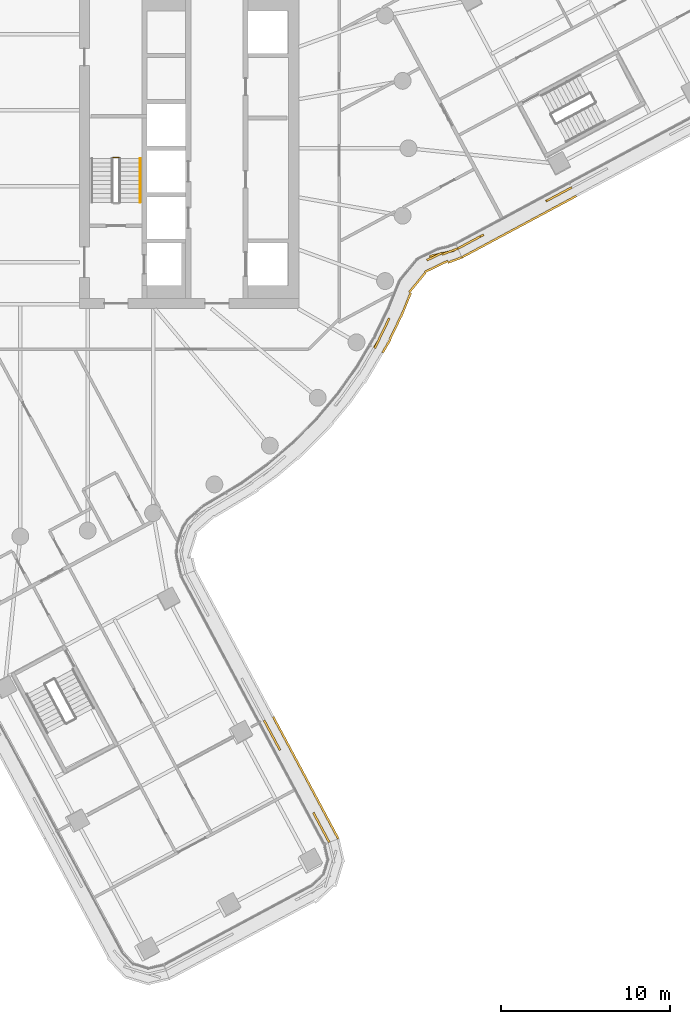
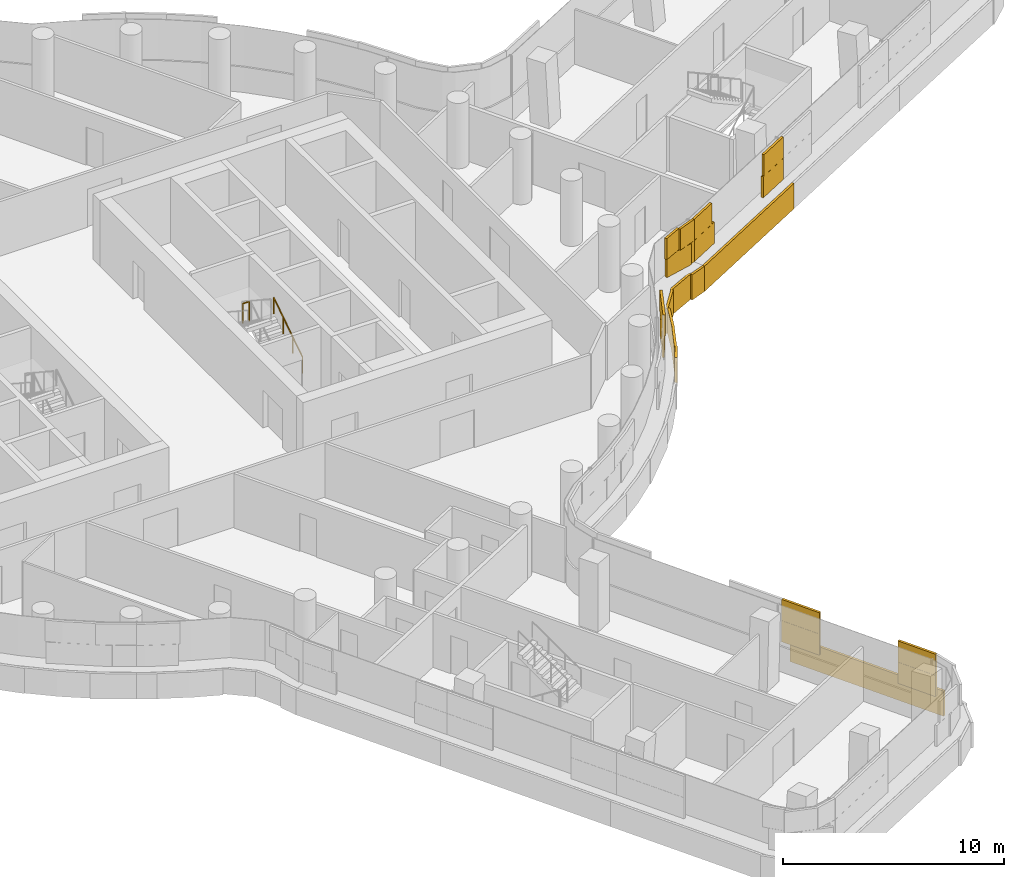
# One storey, part 29 of 33: 3 coverings, 2 railings.
"""IFC4 building model written with IfcOpenShell, lengths in metres."""

from ifc_helpers import new_model, si_unit, direction, frame, origin, origin_2d, place, context, subcontext, project, spatial, rectangle, circle, extrude, material, layer, layer_set, type_object, element, save


model = new_model("IFC4")

# Units and contexts
model_context = context("Model", 3, precision=1e-05, world=origin(), true_north=direction((0.0, 1.0)))
body_context = subcontext(model_context, "Body", "Model", "MODEL_VIEW")
ifc_project = project(units=[si_unit("LENGTHUNIT", "METRE"), si_unit("AREAUNIT", "SQUARE_METRE"), si_unit("VOLUMEUNIT", "CUBIC_METRE"), si_unit("PLANEANGLEUNIT", "RADIAN"), si_unit("MASSUNIT", "GRAM", prefix="KILO")], contexts=[model_context])

# Site, building, storey
site_placement = place(None, origin())
site = spatial("IfcSite", under=ifc_project, at=site_placement, CompositionType="ELEMENT")
building_placement = place(site_placement, origin())
building = spatial("IfcBuilding", under=site, at=building_placement, Name="Tamarind Cross Interchange Tower", CompositionType="ELEMENT")
storey_placement = place(building_placement, frame((0.0, 0.0, 136.75)))
storey = spatial("IfcBuildingStorey", under=building, at=storey_placement, Name="L33", CompositionType="ELEMENT", Elevation=136.75)

# Railings
ifc_material_1 = material(Name="Stair guard")
railing_type_1 = type_object("IfcRailingType", Name="Stair guard", PredefinedType="GUARDRAIL", material=ifc_material_1)
railing_1_placement = place(storey_placement, frame((5.85009765625, -0.550048828125, 1.875)))
element("IfcRailing", 1, at=railing_1_placement, inside=storey, type_object=railing_type_1, Name="L33 ST2 stair guard 2", PredefinedType="GUARDRAIL", context=body_context, shape_type="SweptSolid", body=[
    extrude(circle(Radius=0.02392578125, at=origin_2d()), frame((0.0, 0.0, 1.076171875), z_axis=(-1.0, 0.0, 0.0), x_axis=(0.0, -1.0, 0.0)), (0.0, 0.0, 1.0), 0.35009765625),
    extrude(circle(Radius=0.02099609375, at=origin_2d()), origin(), (0.0, 0.0, 1.0), 1.052001953125),
    extrude(circle(Radius=0.02099609375, at=origin_2d()), frame((-0.35009765625, 0.0, 0.0)), (0.0, 0.0, 1.0), 1.052001953125),
])
ifc_material_2 = material(Name="Stair handrail")
railing_type_2 = type_object("IfcRailingType", Name="Stair handrail", PredefinedType="HANDRAIL", material=ifc_material_2)
railing_2_placement = place(storey_placement, frame((7.10009765625, -3.199951171875, 0.17041015625)))
element("IfcRailing", 2, at=railing_2_placement, inside=storey, type_object=railing_type_2, Name="L33 ST2 stair handrail 1", PredefinedType="HANDRAIL", context=body_context, shape_type="SweptSolid", body=[
    extrude(circle(Radius=0.02392578125, at=origin_2d()), frame((0.0, 0.0, 0.8759765625), z_axis=(0.0, 0.836278606002, 0.548304744775), x_axis=(-1.0, 0.0, 0.0)), (0.0, 0.0, 1.0), 3.10888671875),
    extrude(circle(Radius=0.02099609375, at=origin_2d()), origin(), (0.0, 0.0, 1.0), 0.851806640625),
    extrude(circle(Radius=0.02099609375, at=origin_2d()), frame((0.0, 0.86669921875, 0.568115234375)), (0.0, 0.0, 1.0), 0.851806640625),
    extrude(circle(Radius=0.02099609375, at=origin_2d()), frame((0.0, 1.733154296875, 1.136474609375)), (0.0, 0.0, 1.0), 0.851806640625),
    extrude(circle(Radius=0.02099609375, at=origin_2d()), frame((0.0, 2.599853515625, 1.70458984375)), (0.0, 0.0, 1.0), 0.851806640625),
])

# Coverings
ifc_material_3 = material(Name="Terracotta", Category="masonry")
ifc_layer = layer(ifc_material_3, 0.1201171875)
ifc_layer_set = layer_set([ifc_layer], Name="Terracotta")
covering_type = type_object("IfcCoveringType", Name="Terracotta baguette screen unit", PredefinedType="MOLDING", material=ifc_layer_set)
covering_1_placement = place(storey_placement, origin())
element("IfcCovering", 3, at=covering_1_placement, inside=storey, type_object=covering_type, Name="SCR-L33-09-00", PredefinedType="MOLDING", context=body_context, shape_type="SweptSolid", body=[
    extrude(rectangle(XDim=0.760009765625, YDim=0.1201171875, at=origin_2d()), frame((18.125, -40.7890625, 1.404052734375), z_axis=(0.0, 0.0, 1.0), x_axis=(-0.47095879505, 0.88215520934, 0.0)), (0.0, 0.0, 1.0), 1.1669921875),
    extrude(rectangle(XDim=1.25390625, YDim=0.1201171875, at=origin_2d()), frame((17.655517578125, -39.909423828125, 1.404052734375), z_axis=(0.0, 0.0, 1.0), x_axis=(-0.47095879505, 0.88215520934, 0.0)), (0.0, 0.0, 1.0), 1.1669921875),
    extrude(rectangle(XDim=0.566162109375, YDim=0.1201171875, at=origin_2d()), frame((15.253662109375, -35.410400390625, 1.404052734375), z_axis=(0.0, 0.0, 1.0), x_axis=(-0.47095879505, 0.88215520934, 0.0)), (0.0, 0.0, 1.0), 1.1669921875),
    extrude(rectangle(XDim=1.44775390625, YDim=0.1201171875, at=origin_2d()), frame((14.7841796875, -34.531005859375, 1.404052734375), z_axis=(0.0, 0.0, 1.0), x_axis=(-0.47095879505, 0.88215520934, 0.0)), (0.0, 0.0, 1.0), 1.1669921875),
    extrude(rectangle(XDim=1.510009765625, YDim=0.1201171875, at=origin_2d()), frame((17.948486328125, -40.458251953125, 2.5791015625), z_axis=(0.0, 0.0, 1.0), x_axis=(-0.47095879505, 0.88215520934, 0.0)), (0.0, 0.0, 1.0), 1.1669921875),
    extrude(rectangle(XDim=0.50390625, YDim=0.1201171875, at=origin_2d()), frame((17.47900390625, -39.57861328125, 2.5791015625), z_axis=(0.0, 0.0, 1.0), x_axis=(-0.47095879505, 0.88215520934, 0.0)), (0.0, 0.0, 1.0), 1.1669921875),
    extrude(rectangle(XDim=1.316162109375, YDim=0.1201171875, at=origin_2d()), frame((15.076904296875, -35.07958984375, 2.5791015625), z_axis=(0.0, 0.0, 1.0), x_axis=(-0.47095879505, 0.88215520934, 0.0)), (0.0, 0.0, 1.0), 1.1669921875),
    extrude(rectangle(XDim=0.69775390625, YDim=0.1201171875, at=origin_2d()), frame((14.607421875, -34.2001953125, 2.5791015625), z_axis=(0.0, 0.0, 1.0), x_axis=(-0.47095879505, 0.88215520934, 0.0)), (0.0, 0.0, 1.0), 1.1669921875),
    extrude(rectangle(XDim=0.760009765625, YDim=0.1201171875, at=origin_2d()), frame((18.664306640625, -40.580322265625, 0.00390625), z_axis=(0.0, 0.0, 1.0), x_axis=(-0.47095879505, 0.88215520934, 0.0)), (0.0, 0.0, 1.0), 1.39208984375),
    extrude(rectangle(XDim=1.52001953125, YDim=0.1201171875, at=origin_2d()), frame((18.136962890625, -39.59228515625, 0.00390625), z_axis=(0.0, 0.0, 1.0), x_axis=(-0.47095879505, 0.88215520934, 0.0)), (0.0, 0.0, 1.0), 1.39208984375),
    extrude(rectangle(XDim=1.52001953125, YDim=0.1201171875, at=origin_2d()), frame((17.430419921875, -38.26904296875, 0.00390625), z_axis=(0.0, 0.0, 1.0), x_axis=(-0.47095879505, 0.88215520934, 0.0)), (0.0, 0.0, 1.0), 1.39208984375),
    extrude(rectangle(XDim=1.52001953125, YDim=0.1201171875, at=origin_2d()), frame((16.72412109375, -36.94580078125, 0.00390625), z_axis=(0.0, 0.0, 1.0), x_axis=(-0.47095879505, 0.88215520934, 0.0)), (0.0, 0.0, 1.0), 1.39208984375),
    extrude(rectangle(XDim=1.52001953125, YDim=0.1201171875, at=origin_2d()), frame((16.017578125, -35.62255859375, 0.00390625), z_axis=(0.0, 0.0, 1.0), x_axis=(-0.47095879505, 0.88215520934, 0.0)), (0.0, 0.0, 1.0), 1.39208984375),
    extrude(rectangle(XDim=1.447021484375, YDim=0.1201171875, at=origin_2d()), frame((15.328369140625, -34.33154296875, 0.00390625), z_axis=(0.0, 0.0, 1.0), x_axis=(-0.47095879505, 0.88215520934, 0.0)), (0.0, 0.0, 1.0), 1.39208984375),
])
covering_2_placement = place(storey_placement, origin())
element("IfcCovering", 4, at=covering_2_placement, inside=storey, type_object=covering_type, Name="SCR-L33-10-01", PredefinedType="MOLDING", context=body_context, shape_type="SweptSolid", body=[
    extrude(rectangle(XDim=0.41064453125, YDim=0.1201171875, at=origin_2d()), frame((21.06640625, -11.6533203125, 1.404052734375), z_axis=(0.0, 0.0, 1.0), x_axis=(0.508183308752, 0.861248933065, 0.0)), (0.0, 0.0, 1.0), 1.1669921875),
    extrude(rectangle(XDim=1.52001953125, YDim=0.1201171875, at=origin_2d()), frame((21.50390625, -10.810546875, 1.404052734375), z_axis=(0.0, 0.0, 1.0), x_axis=(0.435326231914, 0.900272776334, 0.0)), (0.0, 0.0, 1.0), 1.1669921875),
    extrude(rectangle(XDim=1.52001953125, YDim=0.1201171875, at=origin_2d()), frame((24.978759765625, -6.2333984375, 1.404052734375), z_axis=(0.0, 0.0, 1.0), x_axis=(0.973540628652, 0.228513991615, 0.0)), (0.0, 0.0, 1.0), 1.1669921875),
    extrude(rectangle(XDim=0.254150390625, YDim=0.1201171875, at=origin_2d()), frame((25.81201171875, -5.982666015625, 1.404052734375), z_axis=(0.0, 0.0, 1.0), x_axis=(0.935384792421, 0.353631573969, 0.0)), (0.0, 0.0, 1.0), 1.1669921875),
    extrude(rectangle(XDim=1.16064453125, YDim=0.1201171875, at=origin_2d()), frame((21.25341796875, -11.328369140625, 2.5791015625), z_axis=(0.0, 0.0, 1.0), x_axis=(0.435326231914, 0.900272776334, 0.0)), (0.0, 0.0, 1.0), 1.1669921875),
    extrude(rectangle(XDim=0.831787109375, YDim=0.1201171875, at=origin_2d()), frame((21.682861328125, -10.440673828125, 2.5791015625), z_axis=(0.0, 0.0, 1.0), x_axis=(0.435326231914, 0.900272776334, 0.0)), (0.0, 0.0, 1.0), 1.1669921875),
    extrude(rectangle(XDim=0.98828125, YDim=0.1201171875, at=origin_2d()), frame((24.52978515625, -6.421875, 2.5791015625), z_axis=(0.0, 0.0, 1.0), x_axis=(0.900238234711, 0.435397658199, 0.0)), (0.0, 0.0, 1.0), 1.1669921875),
    extrude(rectangle(XDim=1.004150390625, YDim=0.1201171875, at=origin_2d()), frame((25.46142578125, -6.115234375, 2.5791015625), z_axis=(0.0, 0.0, 1.0), x_axis=(0.935384792421, 0.353631573969, 0.0)), (0.0, 0.0, 1.0), 1.1669921875),
    extrude(rectangle(XDim=0.914794921875, YDim=0.1201171875, at=origin_2d()), frame((21.697265625, -11.7138671875, 0.00390625), z_axis=(0.0, 0.0, 1.0), x_axis=(0.508183308752, 0.861248933065, 0.0)), (0.0, 0.0, 1.0), 1.39208984375),
    extrude(rectangle(XDim=1.52001953125, YDim=0.1201171875, at=origin_2d()), frame((22.224365234375, -10.63916015625, 0.00390625), z_axis=(0.0, 0.0, 1.0), x_axis=(0.435326231914, 0.900272776334, 0.0)), (0.0, 0.0, 1.0), 1.39208984375),
    extrude(rectangle(XDim=1.52001953125, YDim=0.1201171875, at=origin_2d()), frame((22.844482421875, -9.27392578125, 0.00390625), z_axis=(0.0, 0.0, 1.0), x_axis=(0.379006038387, 0.925394198634, 0.0)), (0.0, 0.0, 1.0), 1.39208984375),
    extrude(rectangle(XDim=1.52001953125, YDim=0.1201171875, at=origin_2d()), frame((23.521484375, -7.95068359375, 0.00390625), z_axis=(0.0, 0.0, 1.0), x_axis=(0.634864036069, 0.772623877256, 0.0)), (0.0, 0.0, 1.0), 1.39208984375),
    extrude(rectangle(XDim=1.52001953125, YDim=0.1201171875, at=origin_2d()), frame((24.641845703125, -7.00537109375, 0.00390625), z_axis=(0.0, 0.0, 1.0), x_axis=(0.900238234711, 0.435397658199, 0.0)), (0.0, 0.0, 1.0), 1.39208984375),
    extrude(rectangle(XDim=0.882568359375, YDim=0.1201171875, at=origin_2d()), frame((25.751708984375, -6.619140625, 0.00390625), z_axis=(0.0, 0.0, 1.0), x_axis=(0.935384792421, 0.353631573969, 0.0)), (0.0, 0.0, 1.0), 1.39208984375),
])
covering_3_placement = place(storey_placement, origin())
element("IfcCovering", 5, at=covering_3_placement, inside=storey, type_object=covering_type, Name="SCR-L33-11-00", PredefinedType="MOLDING", context=body_context, shape_type="SweptSolid", body=[
    extrude(rectangle(XDim=0.760009765625, YDim=0.1201171875, at=origin_2d()), frame((26.2568359375, -5.76220703125, 1.404052734375), z_axis=(0.0, 0.0, 1.0), x_axis=(0.881224263054, 0.472698422046, 0.0)), (0.0, 0.0, 1.0), 1.1669921875),
    extrude(rectangle(XDim=0.983642578125, YDim=0.1201171875, at=origin_2d()), frame((27.01611328125, -5.35498046875, 1.404052734375), z_axis=(0.0, 0.0, 1.0), x_axis=(0.881224263054, 0.472698422046, 0.0)), (0.0, 0.0, 1.0), 1.1669921875),
    extrude(rectangle(XDim=0.83642578125, YDim=0.1201171875, at=origin_2d()), frame((31.510498046875, -2.944091796875, 1.404052734375), z_axis=(0.0, 0.0, 1.0), x_axis=(0.881224263054, 0.472698422046, 0.0)), (0.0, 0.0, 1.0), 1.1669921875),
    extrude(rectangle(XDim=0.9072265625, YDim=0.1201171875, at=origin_2d()), frame((32.27001953125, -2.53662109375, 1.404052734375), z_axis=(0.0, 0.0, 1.0), x_axis=(0.881224263054, 0.472698422046, 0.0)), (0.0, 0.0, 1.0), 1.1669921875),
    extrude(rectangle(XDim=1.510009765625, YDim=0.1201171875, at=origin_2d()), frame((26.587158203125, -5.5849609375, 2.5791015625), z_axis=(0.0, 0.0, 1.0), x_axis=(0.881224263054, 0.472698422046, 0.0)), (0.0, 0.0, 1.0), 1.1669921875),
    extrude(rectangle(XDim=1.52001953125, YDim=0.1201171875, at=origin_2d()), frame((31.87451171875, -2.748779296875, 2.5791015625), z_axis=(0.0, 0.0, 1.0), x_axis=(0.881224263054, 0.472698422046, 0.0)), (0.0, 0.0, 1.0), 1.1669921875),
    extrude(rectangle(XDim=0.1572265625, YDim=0.1201171875, at=origin_2d()), frame((32.600341796875, -2.359375, 2.5791015625), z_axis=(0.0, 0.0, 1.0), x_axis=(0.881224263054, 0.472698422046, 0.0)), (0.0, 0.0, 1.0), 1.1669921875),
    extrude(rectangle(XDim=0.760009765625, YDim=0.1201171875, at=origin_2d()), frame((26.499267578125, -6.283447265625, 0.00390625), z_axis=(0.0, 0.0, 1.0), x_axis=(0.881224263054, 0.472698422046, 0.0)), (0.0, 0.0, 1.0), 1.39208984375),
    extrude(rectangle(XDim=1.52001953125, YDim=0.1201171875, at=origin_2d()), frame((27.486328125, -5.754150390625, 0.00390625), z_axis=(0.0, 0.0, 1.0), x_axis=(0.881224263054, 0.472698422046, 0.0)), (0.0, 0.0, 1.0), 1.39208984375),
    extrude(rectangle(XDim=1.52001953125, YDim=0.1201171875, at=origin_2d()), frame((28.80810546875, -5.044921875, 0.00390625), z_axis=(0.0, 0.0, 1.0), x_axis=(0.881224263054, 0.472698422046, 0.0)), (0.0, 0.0, 1.0), 1.39208984375),
    extrude(rectangle(XDim=1.52001953125, YDim=0.1201171875, at=origin_2d()), frame((30.1298828125, -4.3359375, 0.00390625), z_axis=(0.0, 0.0, 1.0), x_axis=(0.881224263054, 0.472698422046, 0.0)), (0.0, 0.0, 1.0), 1.39208984375),
    extrude(rectangle(XDim=1.52001953125, YDim=0.1201171875, at=origin_2d()), frame((31.451904296875, -3.626953125, 0.00390625), z_axis=(0.0, 0.0, 1.0), x_axis=(0.881224263054, 0.472698422046, 0.0)), (0.0, 0.0, 1.0), 1.39208984375),
    extrude(rectangle(XDim=0.942138671875, YDim=0.1201171875, at=origin_2d()), frame((32.51904296875, -3.054443359375, 0.00390625), z_axis=(0.0, 0.0, 1.0), x_axis=(0.881224263054, 0.472698422046, 0.0)), (0.0, 0.0, 1.0), 1.39208984375),
])

save(model, "model.ifc")
